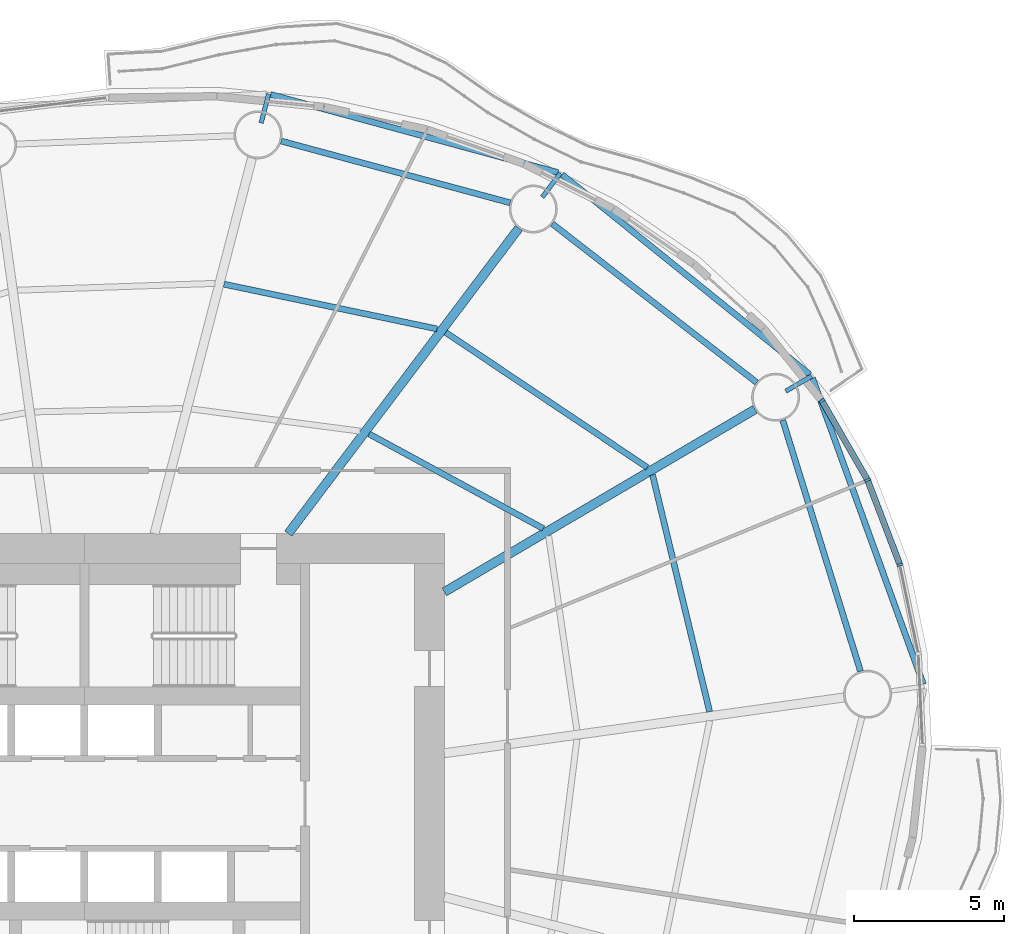
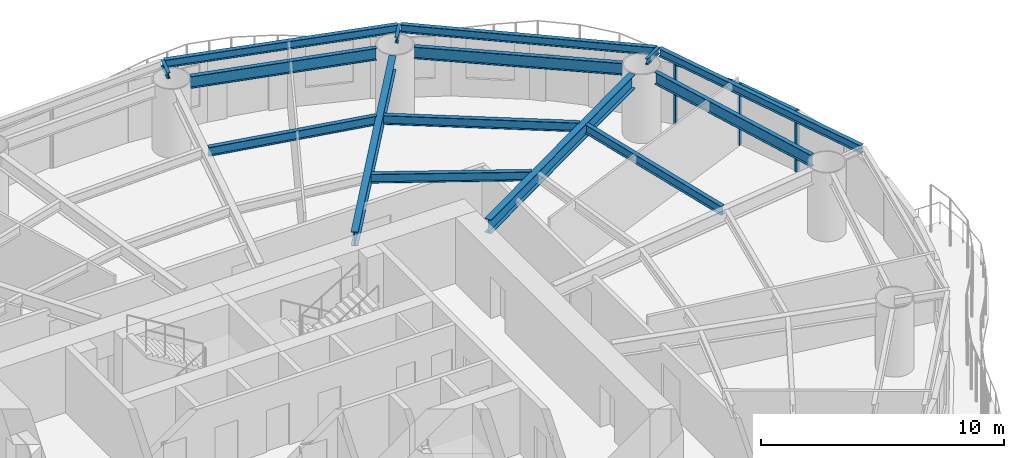
# One storey, part 5 of 16: 15 beams, 5 members, 2 elements without a shape of their own.
"""IFC4 building model written with IfcOpenShell, lengths in metres."""

from ifc_helpers import new_model, si_unit, direction, frame, origin, origin_2d, place, context, subcontext, project, spatial, rectangle, i_section, extrude, material, material_profile, profile_set, type_object, element, aggregate, save


model = new_model("IFC4")

# Units and contexts
model_context = context("Model", 3, precision=1e-05, world=origin(), true_north=direction((0.0, 1.0)))
body_context = subcontext(model_context, "Body", "Model", "MODEL_VIEW")
ifc_project = project(units=[si_unit("LENGTHUNIT", "METRE"), si_unit("AREAUNIT", "SQUARE_METRE"), si_unit("VOLUMEUNIT", "CUBIC_METRE"), si_unit("PLANEANGLEUNIT", "RADIAN"), si_unit("MASSUNIT", "GRAM", prefix="KILO")], contexts=[model_context])

# Site, building, storey
site_placement = place(None, origin())
site = spatial("IfcSite", under=ifc_project, at=site_placement, CompositionType="ELEMENT")
building_placement = place(site_placement, origin())
building = spatial("IfcBuilding", under=site, at=building_placement, Name="Vermilion Reach Broadcast Tower", CompositionType="ELEMENT")
storey_placement = place(building_placement, frame((0.0, 0.0, 99.39990234375)))
storey = spatial("IfcBuildingStorey", under=building, at=storey_placement, Name="L22", CompositionType="ELEMENT", Elevation=99.39990234375)

# Beams
ifc_material_1 = material(Name="Steel S355J2", Category="steel")
ifc_material_profile_1 = material_profile(ifc_material_1, i_section(OverallWidth=0.199951171875, OverallDepth=0.39990234375, WebThickness=0.008056640625, FlangeThickness=0.012939453125, at=origin_2d()), Name="S355J2 HN 400x200x8x13")
ifc_profile_set_1 = profile_set([ifc_material_profile_1], Name="Steel S355J2")
beam_type_1 = type_object("IfcBeamType", Name="EB2 HN 400x200x8x13", PredefinedType="BEAM", material=ifc_profile_set_1)
beam_1_placement = place(storey_placement, frame((18.182861328125, 14.303466796875, 3.25), z_axis=(-0.778233881601, 0.627974542102, 0.0), x_axis=(-0.627974542102, -0.778233881601, 0.0)))
element("IfcBeam", 1, at=beam_1_placement, inside=storey, type_object=beam_type_1, Name="Edge beam EB2-01", PredefinedType="BEAM", context=body_context, shape_type="SweptSolid", body=[
    extrude(i_section(OverallWidth=0.199951171875, OverallDepth=0.39990234375, WebThickness=0.008056640625, FlangeThickness=0.012939453125, at=origin_2d()), origin(), (0.0, 0.0, 1.0), 10.61328125),
])
beam_2_placement = place(storey_placement, frame((9.786865234375, 21.036376953125, 3.25), z_axis=(-0.965008720013, 0.262217791729, 0.0), x_axis=(-0.262217791729, -0.965008720013, 0.0)))
element("IfcBeam", 2, at=beam_2_placement, inside=storey, type_object=beam_type_1, Name="Edge beam EB2-02", PredefinedType="BEAM", context=body_context, shape_type="SweptSolid", body=[
    extrude(i_section(OverallWidth=0.199951171875, OverallDepth=0.39990234375, WebThickness=0.008056640625, FlangeThickness=0.012939453125, at=origin_2d()), origin(), (0.0, 0.0, 1.0), 9.92138671875),
])
beam_3_placement = place(storey_placement, frame((21.967529296875, 3.9814453125, 3.25), z_axis=(-0.340702110411, 0.940171299265, 0.0), x_axis=(-0.940171299265, -0.340702110411, 0.0)))
element("IfcBeam", 3, at=beam_3_placement, inside=storey, type_object=beam_type_1, Name="Edge beam EB2-16", PredefinedType="BEAM", context=body_context, shape_type="SweptSolid", body=[
    extrude(i_section(OverallWidth=0.199951171875, OverallDepth=0.39990234375, WebThickness=0.008056640625, FlangeThickness=0.012939453125, at=origin_2d()), origin(), (0.0, 0.0, 1.0), 10.84912109375),
])
ifc_material_2 = material(Name="Steel S355J2", Category="steel")
ifc_material_profile_2 = material_profile(ifc_material_2, i_section(OverallWidth=0.300048828125, OverallDepth=0.699951171875, WebThickness=0.012939453125, FlangeThickness=0.02392578125, at=origin_2d()), Name="S355J2 HN 700x300x13x24")
ifc_profile_set_2 = profile_set([ifc_material_profile_2], Name="Steel S355J2")
beam_type_2 = type_object("IfcBeamType", Name="G2 HN 700x300x13x24", PredefinedType="BEAM", material=ifc_profile_set_2)
beam_4_placement = place(storey_placement, frame((6.0, 7.054443359375, 3.10009765625), z_axis=(0.862071616631, 0.506786471603, 0.0), x_axis=(-0.506786471603, 0.862071616631, 0.0)))
element("IfcBeam", 4, at=beam_4_placement, inside=storey, type_object=beam_type_2, Name="Girder G2-01", PredefinedType="BEAM", context=body_context, shape_type="SweptSolid", body=[
    extrude(i_section(OverallWidth=0.300048828125, OverallDepth=0.699951171875, WebThickness=0.012939453125, FlangeThickness=0.02392578125, at=origin_2d()), origin(), (0.0, 0.0, 1.0), 12.01025390625),
])
beam_5_placement = place(storey_placement, frame((0.794189453125, 9.0, 3.10009765625), z_axis=(0.602519842365, 0.798103902733, 0.0), x_axis=(-0.798103902733, 0.602519842365, 0.0)))
element("IfcBeam", 5, at=beam_5_placement, inside=storey, type_object=beam_type_2, Name="Girder G2-02", PredefinedType="BEAM", context=body_context, shape_type="SweptSolid", body=[
    extrude(i_section(OverallWidth=0.300048828125, OverallDepth=0.699951171875, WebThickness=0.012939453125, FlangeThickness=0.02392578125, at=origin_2d()), origin(), (0.0, 0.0, 1.0), 12.758544921875),
])
ifc_material_3 = material(Name="Steel S355J2", Category="steel")
ifc_material_profile_3 = material_profile(ifc_material_3, i_section(OverallWidth=0.14990234375, OverallDepth=0.300048828125, WebThickness=0.006591796875, FlangeThickness=0.009033203125, at=origin_2d()), Name="S355J2 HN 300x150x6.5x9")
ifc_profile_set_3 = profile_set([ifc_material_profile_3], Name="Steel S355J2")
beam_type_3 = type_object("IfcBeamType", Name="GS2 HN 300x150x6.5x9", PredefinedType="BEAM", material=ifc_profile_set_3)
for number, where, z_axis, x_axis, name in (
    (6, (17.383056640625, 13.746337890625, 3.300048828125), (0.862153821816, 0.506646610102, 0.0), (-0.506646610102, 0.862153821816, 0.0), "Cantilever stub GS2-01"),
    (7, (9.262451171875, 20.21728515625, 3.300048828125), (0.602536027779, 0.798091683473, 0.0), (-0.798091683473, 0.602536027779, 0.0), "Cantilever stub GS2-02"),
):
    element("IfcBeam", number, at=place(storey_placement, frame(where, z_axis=z_axis, x_axis=x_axis)), inside=storey, type_object=beam_type_3, Name=name, PredefinedType="BEAM", context=body_context, shape_type="SweptSolid", body=[
        extrude(i_section(OverallWidth=0.14990234375, OverallDepth=0.300048828125, WebThickness=0.006591796875, FlangeThickness=0.009033203125, at=origin_2d()), origin(), (0.0, 0.0, 1.0), 1.0),
    ])
beam_6_placement = place(storey_placement, frame((-0.11083984375, 22.689697265625, 3.300048828125), z_axis=(0.251258738033, 0.967919958758, 0.0), x_axis=(-0.967919958758, 0.251258738033, 0.0)))
element("IfcBeam", 8, at=beam_6_placement, inside=storey, type_object=beam_type_3, Name="Cantilever stub GS2-03", PredefinedType="BEAM", context=body_context, shape_type="SweptSolid", body=[
    extrude(i_section(OverallWidth=0.14990234375, OverallDepth=0.300048828125, WebThickness=0.006591796875, FlangeThickness=0.009033203125, at=origin_2d()), origin(), (0.0, 0.0, 1.0), 0.999755859375),
])
ifc_material_4 = material(Name="Steel S355J2", Category="steel")
ifc_material_profile_4 = material_profile(ifc_material_4, i_section(OverallWidth=0.199951171875, OverallDepth=0.60009765625, WebThickness=0.010986328125, FlangeThickness=0.01708984375, at=origin_2d()), Name="S355J2 HN 600x200x11x17")
ifc_profile_set_4 = profile_set([ifc_material_profile_4], Name="Steel S355J2")
beam_type_4 = type_object("IfcBeamType", Name="RB2 HN 600x200x11x17", PredefinedType="BEAM", material=ifc_profile_set_4)
beam_7_placement = place(storey_placement, frame((16.41162109375, 14.037109375, 3.150146484375), z_axis=(-0.789825712432, 0.613331349257, 0.0), x_axis=(-0.613331349257, -0.789825712432, 0.0)))
element("IfcBeam", 9, at=beam_7_placement, inside=storey, type_object=beam_type_4, Name="Ring beam RB2-01", PredefinedType="BEAM", context=body_context, shape_type="SweptSolid", body=[
    extrude(i_section(OverallWidth=0.199951171875, OverallDepth=0.60009765625, WebThickness=0.010986328125, FlangeThickness=0.01708984375, at=origin_2d()), origin(), (0.0, 0.0, 1.0), 8.63037109375),
])
beam_8_placement = place(storey_placement, frame((8.19091796875, 20.029296875, 3.150146484375), z_axis=(-0.965541463834, 0.260249268234, 0.0), x_axis=(-0.260249268234, -0.965541463834, 0.0)))
element("IfcBeam", 10, at=beam_8_placement, inside=storey, type_object=beam_type_4, Name="Ring beam RB2-02", PredefinedType="BEAM", context=body_context, shape_type="SweptSolid", body=[
    extrude(i_section(OverallWidth=0.199951171875, OverallDepth=0.60009765625, WebThickness=0.010986328125, FlangeThickness=0.01708984375, at=origin_2d()), origin(), (0.0, 0.0, 1.0), 7.904541015625),
])
beam_9_placement = place(storey_placement, frame((19.872314453125, 4.410400390625, 3.150146484375), z_axis=(-0.295788439635, 0.95525347368, 0.0), x_axis=(-0.95525347368, -0.295788439635, 0.0)))
element("IfcBeam", 11, at=beam_9_placement, inside=storey, type_object=beam_type_4, Name="Ring beam RB2-16", PredefinedType="BEAM", context=body_context, shape_type="SweptSolid", body=[
    extrude(i_section(OverallWidth=0.199951171875, OverallDepth=0.60009765625, WebThickness=0.010986328125, FlangeThickness=0.01708984375, at=origin_2d()), origin(), (0.0, 0.0, 1.0), 8.763916015625),
])
ifc_material_5 = material(Name="Steel S355J2", Category="steel")
ifc_material_profile_5 = material_profile(ifc_material_5, i_section(OverallWidth=0.199951171875, OverallDepth=0.449951171875, WebThickness=0.009033203125, FlangeThickness=0.013916015625, at=origin_2d()), Name="S355J2 HN 450x200x9x14")
ifc_profile_set_5 = profile_set([ifc_material_profile_5], Name="Steel S355J2")
beam_type_5 = type_object("IfcBeamType", Name="SB2 HN 450x200x9x14", PredefinedType="BEAM", material=ifc_profile_set_5)
beam_10_placement = place(storey_placement, frame((9.29736328125, 9.1669921875, 3.22509765625), z_axis=(-0.878713106774, 0.477350265512, 0.0), x_axis=(-0.477350265512, -0.878713106774, 0.0)))
element("IfcBeam", 12, at=beam_10_placement, inside=storey, type_object=beam_type_5, Name="Secondary beam SB2-01-1", PredefinedType="BEAM", context=body_context, shape_type="SweptSolid", body=[
    extrude(i_section(OverallWidth=0.199951171875, OverallDepth=0.449951171875, WebThickness=0.009033203125, FlangeThickness=0.013916015625, at=origin_2d()), origin(), (0.0, 0.0, 1.0), 6.60888671875),
])
beam_11_placement = place(storey_placement, frame((12.76416015625, 11.204833984375, 3.22509765625), z_axis=(-0.830915400975, 0.556398774641, 0.0), x_axis=(-0.556398774641, -0.830915400975, 0.0)))
element("IfcBeam", 13, at=beam_11_placement, inside=storey, type_object=beam_type_5, Name="Secondary beam SB2-01-2", PredefinedType="BEAM", context=body_context, shape_type="SweptSolid", body=[
    extrude(i_section(OverallWidth=0.199951171875, OverallDepth=0.449951171875, WebThickness=0.009033203125, FlangeThickness=0.013916015625, at=origin_2d()), origin(), (0.0, 0.0, 1.0), 8.087646484375),
])
beam_12_placement = place(storey_placement, frame((5.7568359375, 15.822509765625, 3.22509765625), z_axis=(-0.978631382549, 0.205622511148, 0.0), x_axis=(-0.205622511148, -0.978631382549, 0.0)))
element("IfcBeam", 14, at=beam_12_placement, inside=storey, type_object=beam_type_5, Name="Secondary beam SB2-02-2", PredefinedType="BEAM", context=body_context, shape_type="SweptSolid", body=[
    extrude(i_section(OverallWidth=0.199951171875, OverallDepth=0.449951171875, WebThickness=0.009033203125, FlangeThickness=0.013916015625, at=origin_2d()), origin(), (0.0, 0.0, 1.0), 7.262939453125),
])
beam_13_placement = place(storey_placement, frame((14.84228515625, 3.06201171875, 3.22509765625), z_axis=(-0.234260568382, 0.972173845617, 0.0), x_axis=(-0.972173845617, -0.234260568382, 0.0)))
element("IfcBeam", 15, at=beam_13_placement, inside=storey, type_object=beam_type_5, Name="Secondary beam SB2-16-2", PredefinedType="BEAM", context=body_context, shape_type="SweptSolid", body=[
    extrude(i_section(OverallWidth=0.199951171875, OverallDepth=0.449951171875, WebThickness=0.009033203125, FlangeThickness=0.013916015625, at=origin_2d()), origin(), (0.0, 0.0, 1.0), 8.123779296875),
])

# Curtain wall, member
ifc_material_6 = material(Name="Low-e laminated clear glass in aluminium frame", Category="aluminium")
curtain_wall_type = type_object("IfcCurtainWallType", Name="Slot curtain wall", PredefinedType="NOTDEFINED", material=ifc_material_6)
placement = place(storey_placement, origin())
curtain_wall_1 = element("IfcCurtainWall", 16, at=placement, inside=storey, type_object=curtain_wall_type, Name="Slot curtain wall L22 00", PredefinedType="NOTDEFINED")
ifc_material_7 = material(Name="Anodised aluminium", Category="aluminium")
ifc_material_profile_6 = material_profile(ifc_material_7, rectangle(XDim=0.199951171875, YDim=0.080078125, at=origin_2d()), Name="Slot mullion 80 x 200")
ifc_profile_set_6 = profile_set([ifc_material_profile_6], Name="Anodised aluminium")
member_type_1 = type_object("IfcMemberType", Name="Slot mullion 80 x 200", PredefinedType="MULLION", material=ifc_profile_set_6)
member_1_placement = place(storey_placement, frame((21.187255859375, 7.96044921875, 0.0), z_axis=(0.0, 0.0, 1.0), x_axis=(-0.959707255615, -0.28100175003, 0.0)))
member_1 = element("IfcMember", 17, at=member_1_placement, type_object=member_type_1, Name="Slot mullion L22 00", PredefinedType="MULLION", context=body_context, shape_type="SweptSolid", body=[
    extrude(rectangle(XDim=0.199951171875, YDim=0.080078125, at=origin_2d()), origin(), (0.0, 0.0, 1.0), 3.050048828125),
])

# Curtain wall, members
curtain_wall_2 = element("IfcCurtainWall", 18, at=placement, inside=storey, type_object=curtain_wall_type, Name="Slot curtain wall L22 01", PredefinedType="NOTDEFINED")
member_2_placement = place(storey_placement, frame((20.108642578125, 10.78564453125, 0.0), z_axis=(0.0, 0.0, 1.0), x_axis=(-0.903119003714, -0.429390341217, 0.0)))
member_2 = element("IfcMember", 19, at=member_2_placement, type_object=member_type_1, Name="Slot mullion L22 01", PredefinedType="MULLION", context=body_context, shape_type="SweptSolid", body=[
    extrude(rectangle(XDim=0.199951171875, YDim=0.080078125, at=origin_2d()), origin(), (0.0, 0.0, 1.0), 3.050048828125),
])
member_3_placement = place(storey_placement, frame((18.585205078125, 13.42822265625, 0.0), z_axis=(0.0, 0.0, 1.0), x_axis=(-0.825178212403, -0.564872479216, 0.0)))
member_3 = element("IfcMember", 20, at=member_3_placement, type_object=member_type_1, Name="Slot mullion L22 02", PredefinedType="MULLION", context=body_context, shape_type="SweptSolid", body=[
    extrude(rectangle(XDim=0.199951171875, YDim=0.080078125, at=origin_2d()), origin(), (0.0, 0.0, 1.0), 3.050048828125),
])

# Member
ifc_material_8 = material(Name="Anodised aluminium", Category="aluminium")
ifc_material_profile_7 = material_profile(ifc_material_8, rectangle(XDim=0.199951171875, YDim=0.10009765625, at=origin_2d()), Name="Slot transom 200 x 100")
ifc_profile_set_7 = profile_set([ifc_material_profile_7], Name="Anodised aluminium")
member_type_2 = type_object("IfcMemberType", Name="Slot transom 200 x 100", PredefinedType="USERDEFINED", material=ifc_profile_set_7)
member_4_placement = place(storey_placement, frame((21.1728515625, 7.997802734375, 3.0), z_axis=(-0.356588393011, 0.93426158969, 0.0), x_axis=(-0.93426158969, -0.356588393011, 0.0)))
member_4 = element("IfcMember", 21, at=member_4_placement, type_object=member_type_2, Name="Slot transom L22 00.1", ObjectType="TRANSOM", PredefinedType="USERDEFINED", context=body_context, shape_type="SweptSolid", body=[
    extrude(rectangle(XDim=0.199951171875, YDim=0.10009765625, at=origin_2d()), origin(), (0.0, 0.0, 1.0), 2.944091796875),
])

aggregate(curtain_wall_1, [member_1, member_4])

member_5_placement = place(storey_placement, frame((20.088623046875, 10.8203125, 3.0), z_axis=(-0.499428303955, 0.866355221147, 0.0), x_axis=(-0.866355221147, -0.499428303955, 0.0)))
member_5 = element("IfcMember", 22, at=member_5_placement, type_object=member_type_2, Name="Slot transom L22 01.1", ObjectType="TRANSOM", PredefinedType="USERDEFINED", context=body_context, shape_type="SweptSolid", body=[
    extrude(rectangle(XDim=0.199951171875, YDim=0.10009765625, at=origin_2d()), origin(), (0.0, 0.0, 1.0), 2.97021484375),
])

aggregate(curtain_wall_2, [member_2, member_3, member_5])

save(model, "model.ifc")
